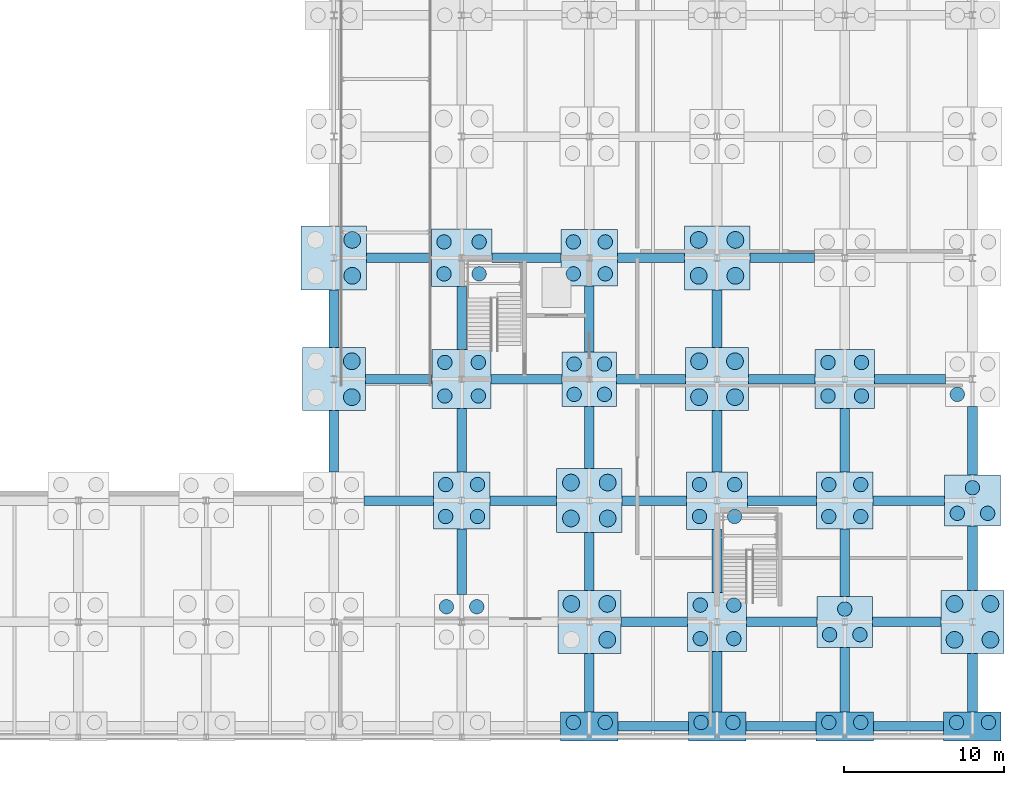
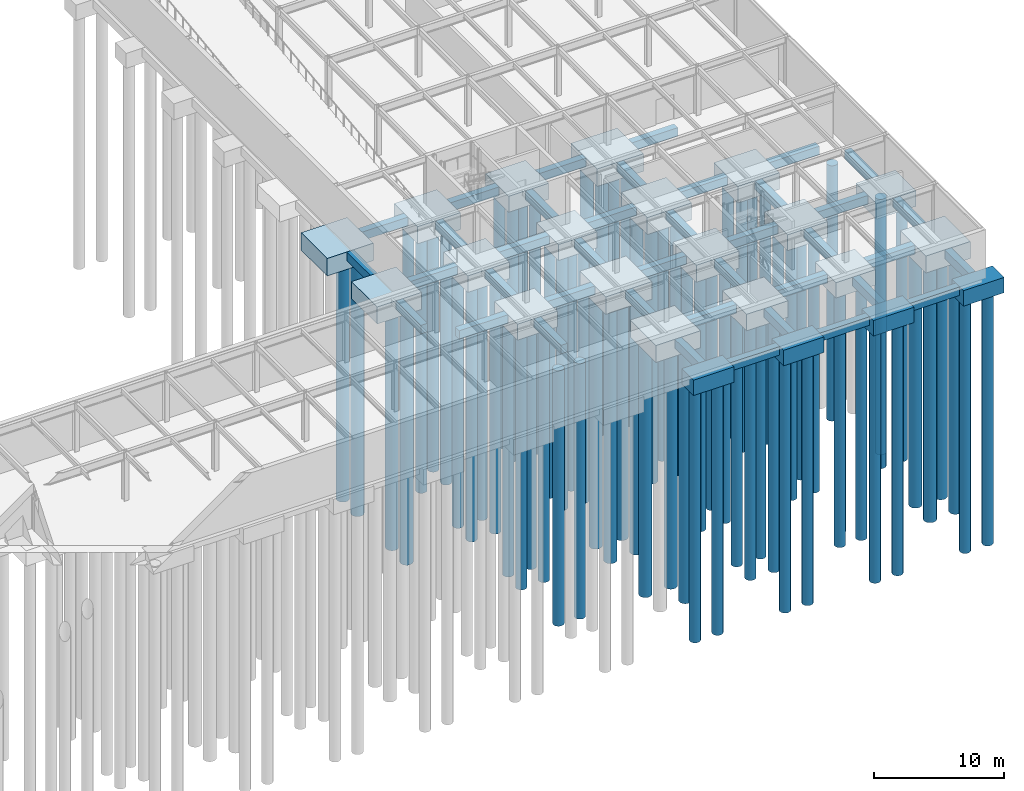
# One storey, part 2 of 21: 76 piles, 61 footings.
"""IFC4 building model written with IfcOpenShell, lengths in metres."""

from ifc_helpers import new_model, si_unit, direction, frame, origin, origin_2d, place, context, subcontext, project, spatial, rectangle, circle, extrude, material, material_profile, profile_set, type_object, element, save


model = new_model("IFC4")

# Units and contexts
model_context = context("Model", 3, precision=1e-05, world=origin(), true_north=direction((0.0, 1.0)))
body_context = subcontext(model_context, "Body", "Model", "MODEL_VIEW")
ifc_project = project(units=[si_unit("LENGTHUNIT", "METRE"), si_unit("AREAUNIT", "SQUARE_METRE"), si_unit("VOLUMEUNIT", "CUBIC_METRE"), si_unit("PLANEANGLEUNIT", "RADIAN"), si_unit("MASSUNIT", "GRAM", prefix="KILO")], contexts=[model_context])

# Site, building, storey
site_placement = place(None, origin())
site = spatial("IfcSite", under=ifc_project, at=site_placement, CompositionType="ELEMENT")
building_placement = place(site_placement, origin())
building = spatial("IfcBuilding", under=site, at=building_placement, Name="Zulena Civic Courthouse", CompositionType="ELEMENT")
storey_placement = place(building_placement, frame((0.0, 0.0, -4.800048828125)))
storey = spatial("IfcBuildingStorey", under=building, at=storey_placement, Name="B01", CompositionType="ELEMENT", Elevation=-4.800048828125)

# Piles
ifc_material_1 = material(Name="Concrete C40/50", Category="concrete")
ifc_material_profile_1 = material_profile(ifc_material_1, circle(Radius=0.52490234375, at=origin_2d()), Name="PILE1050")
ifc_profile_set_1 = profile_set([ifc_material_profile_1], Name="Concrete C40/50")
pile_type_1 = type_object("IfcPileType", Name="BoredPile_1050", PredefinedType="BORED", material=ifc_profile_set_1)
for number, where, z_axis, x_axis, name in (
    (1, (69.125, 67.27490234375, -1.949951171875), (0.0, 0.0, -1.0), (1.0, 0.0, 0.0), "pile:B01:028:2"),
    (2, (69.125, 69.52490234375, -1.949951171875), (0.0, 0.0, -1.0), (1.0, 0.0, 0.0), "pile:B01:028:4"),
    (3, (69.14990234375, 74.875, -2.0), (0.0, 0.0, -1.0), (1.0, 0.0, 0.0), "pile:B01:029:2"),
    (4, (69.14990234375, 77.125, -2.0), (0.0, 0.0, -1.0), (1.0, 0.0, 0.0), "pile:B01:029:4"),
    (5, (85.125, 52.074951171875, -1.949951171875), (0.0, 0.0, -1.0), (1.0, 0.0, 0.0), "pile:B01:046:2"),
    (6, (82.875, 54.324951171875, -1.949951171875), (0.0, 0.0, -1.0), (1.0, 0.0, 0.0), "pile:B01:046:3"),
    (7, (85.125, 54.324951171875, -1.949951171875), (0.0, 0.0, -1.0), (1.0, 0.0, 0.0), "pile:B01:046:4"),
    (8, (82.85009765625, 59.675048828125, -2.0), (0.0, 0.0, -1.0), (1.0, 0.0, 0.0), "pile:B01:047:1"),
    (9, (85.14990234375, 59.675048828125, -2.0), (0.0, 0.0, -1.0), (1.0, 0.0, 0.0), "pile:B01:047:2"),
    (10, (82.85009765625, 61.925048828125, -2.0), (0.0, 0.0, -1.0), (1.0, 0.0, 0.0), "pile:B01:047:3"),
    (11, (85.14990234375, 61.925048828125, -2.0), (0.0, 0.0, -1.0), (1.0, 0.0, 0.0), "pile:B01:047:4"),
    (12, (90.875, 67.27490234375, -1.949951171875), (0.0, 0.0, -1.0), (1.0, 0.0, 0.0), "pile:B01:058:1"),
    (13, (93.125, 67.27490234375, -1.949951171875), (0.0, 0.0, -1.0), (1.0, 0.0, 0.0), "pile:B01:058:2"),
    (14, (90.875, 69.52490234375, -1.949951171875), (0.0, 0.0, -1.0), (1.0, 0.0, 0.0), "pile:B01:058:3"),
    (15, (93.125, 69.52490234375, -1.949951171875), (0.0, 0.0, -1.0), (1.0, 0.0, 0.0), "pile:B01:058:4"),
    (16, (90.85009765625, 74.875, -2.0), (0.0, 0.0, -1.0), (1.0, 0.0, 0.0), "pile:B01:059:1"),
    (17, (93.14990234375, 74.875, -2.0), (0.0, 0.0, -1.0), (1.0, 0.0, 0.0), "pile:B01:059:2"),
    (18, (90.85009765625, 77.125, -2.0), (0.0, 0.0, -1.0), (1.0, 0.0, 0.0), "pile:B01:059:3"),
    (19, (93.14990234375, 77.125, -2.0), (0.0, 0.0, -1.0), (1.0, 0.0, 0.0), "pile:B01:059:4"),
    (20, (106.875, 52.074951171875, -1.949951171875), (0.0, 0.0, -1.0), (1.0, 0.0, 0.0), "pile:B01:076:1"),
    (21, (109.125, 52.074951171875, -1.949951171875), (0.0, 0.0, -1.0), (1.0, 0.0, 0.0), "pile:B01:076:2"),
    (22, (106.875, 54.324951171875, -1.949951171875), (0.0, 0.0, -1.0), (1.0, 0.0, 0.0), "pile:B01:076:3"),
    (23, (109.125, 54.324951171875, -1.949951171875), (0.0, 0.0, -1.0), (1.0, 0.0, 0.0), "pile:B01:076:4"),
):
    element("IfcPile", number, at=place(storey_placement, frame(where, z_axis=z_axis, x_axis=x_axis)), inside=storey, type_object=pile_type_1, Name=name, PredefinedType="BORED", context=body_context, shape_type="SweptSolid", body=[
        extrude(circle(Radius=0.52490234375, at=origin_2d()), origin(), (0.0, 0.0, 1.0), 24.0),
    ])
ifc_material_profile_2 = material_profile(ifc_material_1, circle(Radius=0.449951171875, at=origin_2d()), Name="PILE900")
ifc_profile_set_2 = profile_set([ifc_material_profile_2], Name="Concrete C40/50")
pile_type_2 = type_object("IfcPileType", Name="BoredPile_900", PredefinedType="BORED", material=ifc_profile_set_2)
for number, where, z_axis, x_axis, name in (
    (24, (75.050048828125, 54.14990234375, -1.849853515625), (0.0, 0.0, -1.0), (1.0, 0.0, 0.0), "pile:B01:036:3"),
    (25, (76.949951171875, 54.14990234375, -1.849853515625), (0.0, 0.0, -1.0), (1.0, 0.0, 0.0), "pile:B01:036:4"),
    (26, (75.0, 59.800048828125, -1.849853515625), (0.0, 0.0, -1.0), (1.0, 0.0, 0.0), "pile:B01:037:1"),
    (27, (77.0, 59.800048828125, -1.849853515625), (0.0, 0.0, -1.0), (1.0, 0.0, 0.0), "pile:B01:037:2"),
    (28, (75.0, 61.800048828125, -1.849853515625), (0.0, 0.0, -1.0), (1.0, 0.0, 0.0), "pile:B01:037:3"),
    (29, (77.0, 61.800048828125, -1.849853515625), (0.0, 0.0, -1.0), (1.0, 0.0, 0.0), "pile:B01:037:4"),
    (30, (74.949951171875, 67.35009765625, -1.89990234375), (0.0, 0.0, -1.0), (1.0, 0.0, 0.0), "pile:B01:038:1"),
    (31, (77.050048828125, 67.35009765625, -1.89990234375), (0.0, 0.0, -1.0), (1.0, 0.0, 0.0), "pile:B01:038:2"),
    (32, (74.949951171875, 69.449951171875, -1.89990234375), (0.0, 0.0, -1.0), (1.0, 0.0, 0.0), "pile:B01:038:3"),
    (33, (77.050048828125, 69.449951171875, -1.89990234375), (0.0, 0.0, -1.0), (1.0, 0.0, 0.0), "pile:B01:038:4"),
    (34, (74.89990234375, 75.0, -1.949951171875), (0.0, 0.0, -1.0), (1.0, 0.0, 0.0), "pile:B01:039:1"),
    (35, (77.10009765625, 75.0, -1.949951171875), (0.0, 0.0, -1.0), (1.0, 0.0, 0.0), "pile:B01:039:2"),
    (36, (74.89990234375, 77.0, -1.949951171875), (0.0, 0.0, -1.0), (1.0, 0.0, 0.0), "pile:B01:039:3"),
    (37, (77.10009765625, 77.0, -1.949951171875), (0.0, 0.0, -1.0), (1.0, 0.0, 0.0), "pile:B01:039:4"),
    (38, (83.0, 46.89990234375, -1.800048828125), (0.0, 0.0, -1.0), (1.0, 0.0, 0.0), "pile:B01:045:1"),
    (39, (85.0, 46.89990234375, -1.800048828125), (0.0, 0.0, -1.0), (1.0, 0.0, 0.0), "pile:B01:045:2"),
    (40, (83.050048828125, 67.449951171875, -1.849853515625), (0.0, 0.0, -1.0), (1.0, 0.0, 0.0), "pile:B01:048:1"),
    (41, (84.949951171875, 67.449951171875, -1.849853515625), (0.0, 0.0, -1.0), (1.0, 0.0, 0.0), "pile:B01:048:2"),
    (42, (83.050048828125, 69.35009765625, -1.849853515625), (0.0, 0.0, -1.0), (1.0, 0.0, 0.0), "pile:B01:048:3"),
    (43, (84.949951171875, 69.35009765625, -1.849853515625), (0.0, 0.0, -1.0), (1.0, 0.0, 0.0), "pile:B01:048:4"),
    (44, (83.0, 75.0, -1.849853515625), (0.0, 0.0, -1.0), (1.0, 0.0, 0.0), "pile:B01:049:1"),
    (45, (85.0, 75.0, -1.849853515625), (0.0, 0.0, -1.0), (1.0, 0.0, 0.0), "pile:B01:049:2"),
    (46, (83.0, 77.0, -1.849853515625), (0.0, 0.0, -1.0), (1.0, 0.0, 0.0), "pile:B01:049:3"),
    (47, (85.0, 77.0, -1.849853515625), (0.0, 0.0, -1.0), (1.0, 0.0, 0.0), "pile:B01:049:4"),
    (48, (91.0, 46.89990234375, -1.800048828125), (0.0, 0.0, -1.0), (1.0, 0.0, 0.0), "pile:B01:055:1"),
    (49, (93.0, 46.89990234375, -1.800048828125), (0.0, 0.0, -1.0), (1.0, 0.0, 0.0), "pile:B01:055:2"),
    (50, (90.949951171875, 52.14990234375, -1.89990234375), (0.0, 0.0, -1.0), (1.0, 0.0, 0.0), "pile:B01:056:1"),
    (51, (93.050048828125, 52.14990234375, -1.89990234375), (0.0, 0.0, -1.0), (1.0, 0.0, 0.0), "pile:B01:056:2"),
    (52, (90.949951171875, 54.25, -1.89990234375), (0.0, 0.0, -1.0), (1.0, 0.0, 0.0), "pile:B01:056:3"),
    (53, (93.050048828125, 54.25, -1.89990234375), (0.0, 0.0, -1.0), (1.0, 0.0, 0.0), "pile:B01:056:4"),
    (54, (90.89990234375, 59.800048828125, -1.949951171875), (0.0, 0.0, -1.0), (1.0, 0.0, 0.0), "pile:B01:057:1"),
    (55, (93.10009765625, 59.800048828125, -1.949951171875), (0.0, 0.0, -1.0), (1.0, 0.0, 0.0), "pile:B01:057:2"),
    (56, (90.89990234375, 61.800048828125, -1.949951171875), (0.0, 0.0, -1.0), (1.0, 0.0, 0.0), "pile:B01:057:3"),
    (57, (93.10009765625, 61.800048828125, -1.949951171875), (0.0, 0.0, -1.0), (1.0, 0.0, 0.0), "pile:B01:057:4"),
    (58, (99.0, 46.89990234375, -1.800048828125), (0.0, 0.0, -1.0), (1.0, 0.0, 0.0), "pile:B01:065:1"),
    (59, (101.0, 46.89990234375, -1.800048828125), (0.0, 0.0, -1.0), (1.0, 0.0, 0.0), "pile:B01:065:2"),
    (60, (99.050048828125, 52.39990234375, -1.800048828125), (0.0, 0.0, -1.0), (1.0, 0.0, 0.0), "pile:B01:066:1"),
    (61, (100.949951171875, 52.39990234375, -1.800048828125), (0.0, 0.0, -1.0), (1.0, 0.0, 0.0), "pile:B01:066:2"),
    (62, (100.0, 54.0, -1.800048828125), (0.0, 0.0, -1.0), (1.0, 0.0, 0.0), "pile:B01:066:3"),
    (63, (99.0, 59.800048828125, -1.849853515625), (0.0, 0.0, -1.0), (1.0, 0.0, 0.0), "pile:B01:067:1"),
    (64, (101.0, 59.800048828125, -1.849853515625), (0.0, 0.0, -1.0), (1.0, 0.0, 0.0), "pile:B01:067:2"),
    (65, (99.0, 61.800048828125, -1.849853515625), (0.0, 0.0, -1.0), (1.0, 0.0, 0.0), "pile:B01:067:3"),
    (66, (101.0, 61.800048828125, -1.849853515625), (0.0, 0.0, -1.0), (1.0, 0.0, 0.0), "pile:B01:067:4"),
    (67, (98.949951171875, 67.35009765625, -1.89990234375), (0.0, 0.0, -1.0), (1.0, 0.0, 0.0), "pile:B01:068:1"),
    (68, (101.050048828125, 67.35009765625, -1.89990234375), (0.0, 0.0, -1.0), (1.0, 0.0, 0.0), "pile:B01:068:2"),
    (69, (98.949951171875, 69.449951171875, -1.89990234375), (0.0, 0.0, -1.0), (1.0, 0.0, 0.0), "pile:B01:068:3"),
    (70, (101.050048828125, 69.449951171875, -1.89990234375), (0.0, 0.0, -1.0), (1.0, 0.0, 0.0), "pile:B01:068:4"),
    (71, (107.0, 46.89990234375, -1.800048828125), (0.0, 0.0, -1.0), (1.0, 0.0, 0.0), "pile:B01:075:1"),
    (72, (109.0, 46.89990234375, -1.800048828125), (0.0, 0.0, -1.0), (1.0, 0.0, 0.0), "pile:B01:075:2"),
    (73, (107.050048828125, 60.0, -1.800048828125), (0.0, 0.0, -1.0), (1.0, 0.0, 0.0), "pile:B01:077:1"),
    (74, (108.949951171875, 60.0, -1.800048828125), (0.0, 0.0, -1.0), (1.0, 0.0, 0.0), "pile:B01:077:2"),
    (75, (108.0, 61.60009765625, -1.800048828125), (0.0, 0.0, -1.0), (1.0, 0.0, 0.0), "pile:B01:077:3"),
    (76, (107.050048828125, 67.449951171875, -1.849853515625), (0.0, 0.0, -1.0), (1.0, 0.0, 0.0), "pile:B01:078:1"),
):
    element("IfcPile", number, at=place(storey_placement, frame(where, z_axis=z_axis, x_axis=x_axis)), inside=storey, type_object=pile_type_2, Name=name, PredefinedType="BORED", context=body_context, shape_type="SweptSolid", body=[
        extrude(circle(Radius=0.449951171875, at=origin_2d()), origin(), (0.0, 0.0, 1.0), 24.0),
    ])

# Footings
ifc_material_2 = material(Name="Concrete C35/45", Category="concrete")
ifc_material_profile_3 = material_profile(ifc_material_2, rectangle(XDim=0.60009765625, YDim=0.800048828125, at=origin_2d()), Name="RC600X800")
ifc_profile_set_3 = profile_set([ifc_material_profile_3], Name="Concrete C35/45")
footing_type_1 = type_object("IfcFootingType", Name="GroundBeam_600x800", PredefinedType="FOOTING_BEAM", material=ifc_profile_set_3)
for number, where, z_axis, x_axis, name in (
    (77, (85.800048828125, 46.64990234375, -0.849853515625), (1.0, 0.0, 0.0), (0.0, 1.0, 0.0), "gbeam:X:B01:011"),
    (78, (93.800048828125, 46.64990234375, -0.849853515625), (1.0, 0.0, 0.0), (0.0, 1.0, 0.0), "gbeam:X:B01:012"),
    (79, (101.800048828125, 46.64990234375, -0.849853515625), (1.0, 0.0, 0.0), (0.0, 1.0, 0.0), "gbeam:X:B01:013"),
):
    element("IfcFooting", number, at=place(storey_placement, frame(where, z_axis=z_axis, x_axis=x_axis)), inside=storey, type_object=footing_type_1, Name=name, PredefinedType="FOOTING_BEAM", context=body_context, shape_type="SweptSolid", body=[
        extrude(rectangle(XDim=0.60009765625, YDim=0.800048828125, at=origin_2d()), origin(), (0.0, 0.0, 1.0), 4.39990234375),
    ])
footing_1_placement = place(storey_placement, frame((85.97509765625, 53.199951171875, -0.849853515625), z_axis=(1.0, 0.0, 0.0), x_axis=(0.0, 1.0, 0.0)))
element("IfcFooting", 80, at=footing_1_placement, inside=storey, type_object=footing_type_1, Name="gbeam:X:B01:024", PredefinedType="FOOTING_BEAM", context=body_context, shape_type="SweptSolid", body=[
    extrude(rectangle(XDim=0.60009765625, YDim=0.800048828125, at=origin_2d()), origin(), (0.0, 0.0, 1.0), 4.1748046875),
])
footing_2_placement = place(storey_placement, frame((93.85009765625, 53.199951171875, -0.849853515625), z_axis=(1.0, 0.0, 0.0), x_axis=(0.0, 1.0, 0.0)))
element("IfcFooting", 81, at=footing_2_placement, inside=storey, type_object=footing_type_1, Name="gbeam:X:B01:025", PredefinedType="FOOTING_BEAM", context=body_context, shape_type="SweptSolid", body=[
    extrude(rectangle(XDim=0.60009765625, YDim=0.800048828125, at=origin_2d()), origin(), (0.0, 0.0, 1.0), 4.39990234375),
])
footing_3_placement = place(storey_placement, frame((101.75, 53.199951171875, -0.849853515625), z_axis=(1.0, 0.0, 0.0), x_axis=(0.0, 1.0, 0.0)))
element("IfcFooting", 82, at=footing_3_placement, inside=storey, type_object=footing_type_1, Name="gbeam:X:B01:026", PredefinedType="FOOTING_BEAM", context=body_context, shape_type="SweptSolid", body=[
    extrude(rectangle(XDim=0.60009765625, YDim=0.800048828125, at=origin_2d()), origin(), (0.0, 0.0, 1.0), 4.27490234375),
])
footing_4_placement = place(storey_placement, frame((69.89990234375, 60.800048828125, -0.849853515625), z_axis=(1.0, 0.0, 0.0), x_axis=(0.0, 1.0, 0.0)))
element("IfcFooting", 83, at=footing_4_placement, inside=storey, type_object=footing_type_1, Name="gbeam:X:B01:035", PredefinedType="FOOTING_BEAM", context=body_context, shape_type="SweptSolid", body=[
    extrude(rectangle(XDim=0.60009765625, YDim=0.800048828125, at=origin_2d()), origin(), (0.0, 0.0, 1.0), 4.3251953125),
])
footing_5_placement = place(storey_placement, frame((77.77490234375, 60.800048828125, -0.849853515625), z_axis=(1.0, 0.0, 0.0), x_axis=(0.0, 1.0, 0.0)))
element("IfcFooting", 84, at=footing_5_placement, inside=storey, type_object=footing_type_1, Name="gbeam:X:B01:036", PredefinedType="FOOTING_BEAM", context=body_context, shape_type="SweptSolid", body=[
    extrude(rectangle(XDim=0.60009765625, YDim=0.800048828125, at=origin_2d()), origin(), (0.0, 0.0, 1.0), 4.175048828125),
])
footing_6_placement = place(storey_placement, frame((86.050048828125, 60.800048828125, -0.849853515625), z_axis=(1.0, 0.0, 0.0), x_axis=(0.0, 1.0, 0.0)))
element("IfcFooting", 85, at=footing_6_placement, inside=storey, type_object=footing_type_1, Name="gbeam:X:B01:037", PredefinedType="FOOTING_BEAM", context=body_context, shape_type="SweptSolid", body=[
    extrude(rectangle(XDim=0.60009765625, YDim=0.800048828125, at=origin_2d()), origin(), (0.0, 0.0, 1.0), 4.050048828125),
])
footing_7_placement = place(storey_placement, frame((93.89990234375, 60.800048828125, -0.849853515625), z_axis=(1.0, 0.0, 0.0), x_axis=(0.0, 1.0, 0.0)))
element("IfcFooting", 86, at=footing_7_placement, inside=storey, type_object=footing_type_1, Name="gbeam:X:B01:038", PredefinedType="FOOTING_BEAM", context=body_context, shape_type="SweptSolid", body=[
    extrude(rectangle(XDim=0.60009765625, YDim=0.800048828125, at=origin_2d()), origin(), (0.0, 0.0, 1.0), 4.3251953125),
])
footing_8_placement = place(storey_placement, frame((101.77490234375, 60.800048828125, -0.849853515625), z_axis=(1.0, 0.0, 0.0), x_axis=(0.0, 1.0, 0.0)))
element("IfcFooting", 87, at=footing_8_placement, inside=storey, type_object=footing_type_1, Name="gbeam:X:B01:039", PredefinedType="FOOTING_BEAM", context=body_context, shape_type="SweptSolid", body=[
    extrude(rectangle(XDim=0.60009765625, YDim=0.800048828125, at=origin_2d()), origin(), (0.0, 0.0, 1.0), 4.47509765625),
])
footing_9_placement = place(storey_placement, frame((69.97509765625, 68.39990234375, -0.849853515625), z_axis=(1.0, 0.0, 0.0), x_axis=(0.0, 1.0, 0.0)))
element("IfcFooting", 88, at=footing_9_placement, inside=storey, type_object=footing_type_1, Name="gbeam:X:B01:040", PredefinedType="FOOTING_BEAM", context=body_context, shape_type="SweptSolid", body=[
    extrude(rectangle(XDim=0.60009765625, YDim=0.800048828125, at=origin_2d()), origin(), (0.0, 0.0, 1.0), 4.1748046875),
])
footing_10_placement = place(storey_placement, frame((77.85009765625, 68.39990234375, -0.849853515625), z_axis=(1.0, 0.0, 0.0), x_axis=(0.0, 1.0, 0.0)))
element("IfcFooting", 89, at=footing_10_placement, inside=storey, type_object=footing_type_1, Name="gbeam:X:B01:041", PredefinedType="FOOTING_BEAM", context=body_context, shape_type="SweptSolid", body=[
    extrude(rectangle(XDim=0.60009765625, YDim=0.800048828125, at=origin_2d()), origin(), (0.0, 0.0, 1.0), 4.449951171875),
])
footing_11_placement = place(storey_placement, frame((85.699951171875, 68.39990234375, -0.849853515625), z_axis=(1.0, 0.0, 0.0), x_axis=(0.0, 1.0, 0.0)))
element("IfcFooting", 90, at=footing_11_placement, inside=storey, type_object=footing_type_1, Name="gbeam:X:B01:042", PredefinedType="FOOTING_BEAM", context=body_context, shape_type="SweptSolid", body=[
    extrude(rectangle(XDim=0.60009765625, YDim=0.800048828125, at=origin_2d()), origin(), (0.0, 0.0, 1.0), 4.324951171875),
])
footing_12_placement = place(storey_placement, frame((93.97509765625, 68.39990234375, -0.849853515625), z_axis=(1.0, 0.0, 0.0), x_axis=(0.0, 1.0, 0.0)))
element("IfcFooting", 91, at=footing_12_placement, inside=storey, type_object=footing_type_1, Name="gbeam:X:B01:043", PredefinedType="FOOTING_BEAM", context=body_context, shape_type="SweptSolid", body=[
    extrude(rectangle(XDim=0.60009765625, YDim=0.800048828125, at=origin_2d()), origin(), (0.0, 0.0, 1.0), 4.1748046875),
])
footing_13_placement = place(storey_placement, frame((101.85009765625, 68.39990234375, -0.849853515625), z_axis=(1.0, 0.0, 0.0), x_axis=(0.0, 1.0, 0.0)))
element("IfcFooting", 92, at=footing_13_placement, inside=storey, type_object=footing_type_1, Name="gbeam:X:B01:044", PredefinedType="FOOTING_BEAM", context=body_context, shape_type="SweptSolid", body=[
    extrude(rectangle(XDim=0.60009765625, YDim=0.800048828125, at=origin_2d()), origin(), (0.0, 0.0, 1.0), 4.449951171875),
])
footing_14_placement = place(storey_placement, frame((70.050048828125, 76.0, -0.849853515625), z_axis=(1.0, 0.0, 0.0), x_axis=(0.0, 1.0, 0.0)))
element("IfcFooting", 93, at=footing_14_placement, inside=storey, type_object=footing_type_1, Name="gbeam:X:B01:045", PredefinedType="FOOTING_BEAM", context=body_context, shape_type="SweptSolid", body=[
    extrude(rectangle(XDim=0.60009765625, YDim=0.800048828125, at=origin_2d()), origin(), (0.0, 0.0, 1.0), 4.050048828125),
])
footing_15_placement = place(storey_placement, frame((77.89990234375, 76.0, -0.849853515625), z_axis=(1.0, 0.0, 0.0), x_axis=(0.0, 1.0, 0.0)))
element("IfcFooting", 94, at=footing_15_placement, inside=storey, type_object=footing_type_1, Name="gbeam:X:B01:046", PredefinedType="FOOTING_BEAM", context=body_context, shape_type="SweptSolid", body=[
    extrude(rectangle(XDim=0.60009765625, YDim=0.800048828125, at=origin_2d()), origin(), (0.0, 0.0, 1.0), 4.3251953125),
])
footing_16_placement = place(storey_placement, frame((85.77490234375, 76.0, -0.849853515625), z_axis=(1.0, 0.0, 0.0), x_axis=(0.0, 1.0, 0.0)))
element("IfcFooting", 95, at=footing_16_placement, inside=storey, type_object=footing_type_1, Name="gbeam:X:B01:047", PredefinedType="FOOTING_BEAM", context=body_context, shape_type="SweptSolid", body=[
    extrude(rectangle(XDim=0.60009765625, YDim=0.800048828125, at=origin_2d()), origin(), (0.0, 0.0, 1.0), 4.175048828125),
])
footing_17_placement = place(storey_placement, frame((94.050048828125, 76.0, -0.849853515625), z_axis=(1.0, 0.0, 0.0), x_axis=(0.0, 1.0, 0.0)))
element("IfcFooting", 96, at=footing_17_placement, inside=storey, type_object=footing_type_1, Name="gbeam:X:B01:048", PredefinedType="FOOTING_BEAM", context=body_context, shape_type="SweptSolid", body=[
    extrude(rectangle(XDim=0.60009765625, YDim=0.800048828125, at=origin_2d()), origin(), (0.0, 0.0, 1.0), 4.050048828125),
])
footing_18_placement = place(storey_placement, frame((68.0, 62.60009765625, -0.849853515625), z_axis=(0.0, 1.0, 0.0), x_axis=(-1.0, 0.0, 0.0)))
element("IfcFooting", 97, at=footing_18_placement, inside=storey, type_object=footing_type_1, Name="gbeam:Y:B01:093", PredefinedType="FOOTING_BEAM", context=body_context, shape_type="SweptSolid", body=[
    extrude(rectangle(XDim=0.60009765625, YDim=0.800048828125, at=origin_2d()), origin(), (0.0, 0.0, 1.0), 3.824951171875),
])
footing_19_placement = place(storey_placement, frame((68.0, 70.375, -0.849853515625), z_axis=(0.0, 1.0, 0.0), x_axis=(-1.0, 0.0, 0.0)))
element("IfcFooting", 98, at=footing_19_placement, inside=storey, type_object=footing_type_1, Name="gbeam:Y:B01:094", PredefinedType="FOOTING_BEAM", context=body_context, shape_type="SweptSolid", body=[
    extrude(rectangle(XDim=0.60009765625, YDim=0.800048828125, at=origin_2d()), origin(), (0.0, 0.0, 1.0), 3.625),
])
footing_20_placement = place(storey_placement, frame((76.0, 54.89990234375, -0.849853515625), z_axis=(0.0, 1.0, 0.0), x_axis=(-1.0, 0.0, 0.0)))
element("IfcFooting", 99, at=footing_20_placement, inside=storey, type_object=footing_type_1, Name="gbeam:Y:B01:101", PredefinedType="FOOTING_BEAM", context=body_context, shape_type="SweptSolid", body=[
    extrude(rectangle(XDim=0.60009765625, YDim=0.800048828125, at=origin_2d()), origin(), (0.0, 0.0, 1.0), 4.125),
])
footing_21_placement = place(storey_placement, frame((76.0, 62.574951171875, -0.849853515625), z_axis=(0.0, 1.0, 0.0), x_axis=(-1.0, 0.0, 0.0)))
element("IfcFooting", 100, at=footing_21_placement, inside=storey, type_object=footing_type_1, Name="gbeam:Y:B01:102", PredefinedType="FOOTING_BEAM", context=body_context, shape_type="SweptSolid", body=[
    extrude(rectangle(XDim=0.60009765625, YDim=0.800048828125, at=origin_2d()), origin(), (0.0, 0.0, 1.0), 3.97509765625),
])
footing_22_placement = place(storey_placement, frame((76.0, 70.25, -0.849853515625), z_axis=(0.0, 1.0, 0.0), x_axis=(-1.0, 0.0, 0.0)))
element("IfcFooting", 101, at=footing_22_placement, inside=storey, type_object=footing_type_1, Name="gbeam:Y:B01:103", PredefinedType="FOOTING_BEAM", context=body_context, shape_type="SweptSolid", body=[
    extrude(rectangle(XDim=0.60009765625, YDim=0.800048828125, at=origin_2d()), origin(), (0.0, 0.0, 1.0), 3.949951171875),
])
footing_23_placement = place(storey_placement, frame((84.0, 47.550048828125, -0.849853515625), z_axis=(0.0, 1.0, 0.0), x_axis=(-1.0, 0.0, 0.0)))
element("IfcFooting", 102, at=footing_23_placement, inside=storey, type_object=footing_type_1, Name="gbeam:Y:B01:109", PredefinedType="FOOTING_BEAM", context=body_context, shape_type="SweptSolid", body=[
    extrude(rectangle(XDim=0.60009765625, YDim=0.800048828125, at=origin_2d()), origin(), (0.0, 0.0, 1.0), 3.675048828125),
])
footing_24_placement = place(storey_placement, frame((84.0, 55.175048828125, -0.849853515625), z_axis=(0.0, 1.0, 0.0), x_axis=(-1.0, 0.0, 0.0)))
element("IfcFooting", 103, at=footing_24_placement, inside=storey, type_object=footing_type_1, Name="gbeam:Y:B01:110", PredefinedType="FOOTING_BEAM", context=body_context, shape_type="SweptSolid", body=[
    extrude(rectangle(XDim=0.60009765625, YDim=0.800048828125, at=origin_2d()), origin(), (0.0, 0.0, 1.0), 3.625),
])
footing_25_placement = place(storey_placement, frame((84.0, 62.800048828125, -0.849853515625), z_axis=(0.0, 1.0, 0.0), x_axis=(-1.0, 0.0, 0.0)))
element("IfcFooting", 104, at=footing_25_placement, inside=storey, type_object=footing_type_1, Name="gbeam:Y:B01:111", PredefinedType="FOOTING_BEAM", context=body_context, shape_type="SweptSolid", body=[
    extrude(rectangle(XDim=0.60009765625, YDim=0.800048828125, at=origin_2d()), origin(), (0.0, 0.0, 1.0), 3.89990234375),
])
footing_26_placement = place(storey_placement, frame((84.0, 70.10009765625, -0.849853515625), z_axis=(0.0, 1.0, 0.0), x_axis=(-1.0, 0.0, 0.0)))
element("IfcFooting", 105, at=footing_26_placement, inside=storey, type_object=footing_type_1, Name="gbeam:Y:B01:112", PredefinedType="FOOTING_BEAM", context=body_context, shape_type="SweptSolid", body=[
    extrude(rectangle(XDim=0.60009765625, YDim=0.800048828125, at=origin_2d()), origin(), (0.0, 0.0, 1.0), 4.125),
])
footing_27_placement = place(storey_placement, frame((92.0, 47.550048828125, -0.849853515625), z_axis=(0.0, 1.0, 0.0), x_axis=(-1.0, 0.0, 0.0)))
element("IfcFooting", 106, at=footing_27_placement, inside=storey, type_object=footing_type_1, Name="gbeam:Y:B01:118", PredefinedType="FOOTING_BEAM", context=body_context, shape_type="SweptSolid", body=[
    extrude(rectangle(XDim=0.60009765625, YDim=0.800048828125, at=origin_2d()), origin(), (0.0, 0.0, 1.0), 3.800048828125),
])
footing_28_placement = place(storey_placement, frame((92.0, 55.050048828125, -0.849853515625), z_axis=(0.0, 1.0, 0.0), x_axis=(-1.0, 0.0, 0.0)))
element("IfcFooting", 107, at=footing_28_placement, inside=storey, type_object=footing_type_1, Name="gbeam:Y:B01:119", PredefinedType="FOOTING_BEAM", context=body_context, shape_type="SweptSolid", body=[
    extrude(rectangle(XDim=0.60009765625, YDim=0.800048828125, at=origin_2d()), origin(), (0.0, 0.0, 1.0), 3.949951171875),
])
footing_29_placement = place(storey_placement, frame((92.0, 62.60009765625, -0.849853515625), z_axis=(0.0, 1.0, 0.0), x_axis=(-1.0, 0.0, 0.0)))
element("IfcFooting", 108, at=footing_29_placement, inside=storey, type_object=footing_type_1, Name="gbeam:Y:B01:120", PredefinedType="FOOTING_BEAM", context=body_context, shape_type="SweptSolid", body=[
    extrude(rectangle(XDim=0.60009765625, YDim=0.800048828125, at=origin_2d()), origin(), (0.0, 0.0, 1.0), 3.824951171875),
])
footing_30_placement = place(storey_placement, frame((92.0, 70.375, -0.849853515625), z_axis=(0.0, 1.0, 0.0), x_axis=(-1.0, 0.0, 0.0)))
element("IfcFooting", 109, at=footing_30_placement, inside=storey, type_object=footing_type_1, Name="gbeam:Y:B01:121", PredefinedType="FOOTING_BEAM", context=body_context, shape_type="SweptSolid", body=[
    extrude(rectangle(XDim=0.60009765625, YDim=0.800048828125, at=origin_2d()), origin(), (0.0, 0.0, 1.0), 3.625),
])
footing_31_placement = place(storey_placement, frame((100.0, 47.550048828125, -0.849853515625), z_axis=(0.0, 1.0, 0.0), x_axis=(-1.0, 0.0, 0.0)))
element("IfcFooting", 110, at=footing_31_placement, inside=storey, type_object=footing_type_1, Name="gbeam:Y:B01:127", PredefinedType="FOOTING_BEAM", context=body_context, shape_type="SweptSolid", body=[
    extrude(rectangle(XDim=0.60009765625, YDim=0.800048828125, at=origin_2d()), origin(), (0.0, 0.0, 1.0), 4.050048828125),
])
footing_32_placement = place(storey_placement, frame((100.0, 54.800048828125, -0.849853515625), z_axis=(0.0, 1.0, 0.0), x_axis=(-1.0, 0.0, 0.0)))
element("IfcFooting", 111, at=footing_32_placement, inside=storey, type_object=footing_type_1, Name="gbeam:Y:B01:128", PredefinedType="FOOTING_BEAM", context=body_context, shape_type="SweptSolid", body=[
    extrude(rectangle(XDim=0.60009765625, YDim=0.800048828125, at=origin_2d()), origin(), (0.0, 0.0, 1.0), 4.224853515625),
])
footing_33_placement = place(storey_placement, frame((100.0, 62.574951171875, -0.849853515625), z_axis=(0.0, 1.0, 0.0), x_axis=(-1.0, 0.0, 0.0)))
element("IfcFooting", 112, at=footing_33_placement, inside=storey, type_object=footing_type_1, Name="gbeam:Y:B01:129", PredefinedType="FOOTING_BEAM", context=body_context, shape_type="SweptSolid", body=[
    extrude(rectangle(XDim=0.60009765625, YDim=0.800048828125, at=origin_2d()), origin(), (0.0, 0.0, 1.0), 3.97509765625),
])
footing_34_placement = place(storey_placement, frame((108.0, 47.550048828125, -0.849853515625), z_axis=(0.0, 1.0, 0.0), x_axis=(-1.0, 0.0, 0.0)))
element("IfcFooting", 113, at=footing_34_placement, inside=storey, type_object=footing_type_1, Name="gbeam:Y:B01:136", PredefinedType="FOOTING_BEAM", context=body_context, shape_type="SweptSolid", body=[
    extrude(rectangle(XDim=0.60009765625, YDim=0.800048828125, at=origin_2d()), origin(), (0.0, 0.0, 1.0), 3.675048828125),
])
footing_35_placement = place(storey_placement, frame((108.0, 55.175048828125, -0.849853515625), z_axis=(0.0, 1.0, 0.0), x_axis=(-1.0, 0.0, 0.0)))
element("IfcFooting", 114, at=footing_35_placement, inside=storey, type_object=footing_type_1, Name="gbeam:Y:B01:137", PredefinedType="FOOTING_BEAM", context=body_context, shape_type="SweptSolid", body=[
    extrude(rectangle(XDim=0.60009765625, YDim=0.800048828125, at=origin_2d()), origin(), (0.0, 0.0, 1.0), 4.02490234375),
])
footing_36_placement = place(storey_placement, frame((108.0, 62.39990234375, -0.849853515625), z_axis=(0.0, 1.0, 0.0), x_axis=(-1.0, 0.0, 0.0)))
element("IfcFooting", 115, at=footing_36_placement, inside=storey, type_object=footing_type_1, Name="gbeam:Y:B01:138", PredefinedType="FOOTING_BEAM", context=body_context, shape_type="SweptSolid", body=[
    extrude(rectangle(XDim=0.60009765625, YDim=0.800048828125, at=origin_2d()), origin(), (0.0, 0.0, 1.0), 4.300048828125),
])
footing_type_2 = type_object("IfcFootingType", Name="PileCap_2P_3600x1800", PredefinedType="PILE_CAP", material=ifc_material_1)
for number, where, z_axis, x_axis, name in (
    (116, (84.0, 46.64990234375, -1.89990234375), (0.0, 0.0, 1.0), (1.0, 0.0, 0.0), "cap:B01:045"),
    (117, (92.0, 46.64990234375, -1.89990234375), (0.0, 0.0, 1.0), (1.0, 0.0, 0.0), "cap:B01:055"),
    (118, (100.0, 46.64990234375, -1.89990234375), (0.0, 0.0, 1.0), (1.0, 0.0, 0.0), "cap:B01:065"),
    (119, (108.0, 46.64990234375, -1.89990234375), (0.0, 0.0, 1.0), (1.0, 0.0, 0.0), "cap:B01:075"),
):
    element("IfcFooting", number, at=place(storey_placement, frame(where, z_axis=z_axis, x_axis=x_axis)), inside=storey, type_object=footing_type_2, Name=name, PredefinedType="PILE_CAP", context=body_context, shape_type="SweptSolid", body=[
        extrude(rectangle(XDim=3.60009765625, YDim=1.800048828125, at=origin_2d()), origin(), (0.0, 0.0, 1.0), 1.449951171875),
    ])
footing_type_3 = type_object("IfcFootingType", Name="PileCap_3P_3500x3200", PredefinedType="PILE_CAP", material=ifc_material_1)
for number, where, z_axis, x_axis, name in (
    (120, (100.0, 53.199951171875, -1.89990234375), (0.0, 0.0, 1.0), (1.0, 0.0, 0.0), "cap:B01:066"),
    (121, (108.0, 60.800048828125, -1.89990234375), (0.0, 0.0, 1.0), (1.0, 0.0, 0.0), "cap:B01:077"),
):
    element("IfcFooting", number, at=place(storey_placement, frame(where, z_axis=z_axis, x_axis=x_axis)), inside=storey, type_object=footing_type_3, Name=name, PredefinedType="PILE_CAP", context=body_context, shape_type="SweptSolid", body=[
        extrude(rectangle(XDim=3.5, YDim=3.199951171875, at=origin_2d()), origin(), (0.0, 0.0, 1.0), 1.449951171875),
    ])
footing_type_4 = type_object("IfcFootingType", Name="PileCap_4P_3400x3400", PredefinedType="PILE_CAP", material=ifc_material_1)
footing_37_placement = place(storey_placement, frame((84.0, 68.39990234375, -1.949951171875), z_axis=(0.0, 0.0, 1.0), x_axis=(1.0, 0.0, 0.0)))
element("IfcFooting", 122, at=footing_37_placement, inside=storey, type_object=footing_type_4, Name="cap:B01:048", PredefinedType="PILE_CAP", context=body_context, shape_type="SweptSolid", body=[
    extrude(rectangle(XDim=3.39990234375, YDim=3.39990234375, at=origin_2d()), origin(), (0.0, 0.0, 1.0), 1.5),
])
footing_type_5 = type_object("IfcFootingType", Name="PileCap_4P_3550x3550", PredefinedType="PILE_CAP", material=ifc_material_1)
for number, where, z_axis, x_axis, name in (
    (123, (76.0, 60.800048828125, -1.949951171875), (0.0, 0.0, 1.0), (1.0, 0.0, 0.0), "cap:B01:037"),
    (124, (84.0, 76.0, -1.949951171875), (0.0, 0.0, 1.0), (1.0, 0.0, 0.0), "cap:B01:049"),
    (125, (100.0, 60.800048828125, -1.949951171875), (0.0, 0.0, 1.0), (1.0, 0.0, 0.0), "cap:B01:067"),
):
    element("IfcFooting", number, at=place(storey_placement, frame(where, z_axis=z_axis, x_axis=x_axis)), inside=storey, type_object=footing_type_5, Name=name, PredefinedType="PILE_CAP", context=body_context, shape_type="SweptSolid", body=[
        extrude(rectangle(XDim=3.550048828125, YDim=3.550048828125, at=origin_2d()), origin(), (0.0, 0.0, 1.0), 1.5),
    ])
footing_type_6 = type_object("IfcFootingType", Name="PileCap_4P_3700x3700", PredefinedType="PILE_CAP", material=ifc_material_1)
for number, where, z_axis, x_axis, name in (
    (126, (76.0, 68.39990234375, -2.0), (0.0, 0.0, 1.0), (1.0, 0.0, 0.0), "cap:B01:038"),
    (127, (92.0, 53.199951171875, -2.0), (0.0, 0.0, 1.0), (1.0, 0.0, 0.0), "cap:B01:056"),
    (128, (100.0, 68.39990234375, -2.0), (0.0, 0.0, 1.0), (1.0, 0.0, 0.0), "cap:B01:068"),
):
    element("IfcFooting", number, at=place(storey_placement, frame(where, z_axis=z_axis, x_axis=x_axis)), inside=storey, type_object=footing_type_6, Name=name, PredefinedType="PILE_CAP", context=body_context, shape_type="SweptSolid", body=[
        extrude(rectangle(XDim=3.699951171875, YDim=3.699951171875, at=origin_2d()), origin(), (0.0, 0.0, 1.0), 1.550048828125),
    ])
footing_type_7 = type_object("IfcFootingType", Name="PileCap_4P_3800x3600", PredefinedType="PILE_CAP", material=ifc_material_1)
for number, where, z_axis, x_axis, name in (
    (129, (76.0, 76.0, -2.050048828125), (0.0, 0.0, 1.0), (1.0, 0.0, 0.0), "cap:B01:039"),
    (130, (92.0, 60.800048828125, -2.050048828125), (0.0, 0.0, 1.0), (1.0, 0.0, 0.0), "cap:B01:057"),
):
    element("IfcFooting", number, at=place(storey_placement, frame(where, z_axis=z_axis, x_axis=x_axis)), inside=storey, type_object=footing_type_7, Name=name, PredefinedType="PILE_CAP", context=body_context, shape_type="SweptSolid", body=[
        extrude(rectangle(XDim=3.800048828125, YDim=3.60009765625, at=origin_2d()), origin(), (0.0, 0.0, 1.0), 1.60009765625),
    ])
footing_type_8 = type_object("IfcFootingType", Name="PileCap_4P_3950x3950", PredefinedType="PILE_CAP", material=ifc_material_1)
for number, where, z_axis, x_axis, name in (
    (131, (68.0, 68.39990234375, -2.050048828125), (0.0, 0.0, 1.0), (1.0, 0.0, 0.0), "cap:B01:028"),
    (132, (84.0, 53.199951171875, -2.050048828125), (0.0, 0.0, 1.0), (1.0, 0.0, 0.0), "cap:B01:046"),
    (133, (92.0, 68.39990234375, -2.050048828125), (0.0, 0.0, 1.0), (1.0, 0.0, 0.0), "cap:B01:058"),
    (134, (108.0, 53.199951171875, -2.050048828125), (0.0, 0.0, 1.0), (1.0, 0.0, 0.0), "cap:B01:076"),
):
    element("IfcFooting", number, at=place(storey_placement, frame(where, z_axis=z_axis, x_axis=x_axis)), inside=storey, type_object=footing_type_8, Name=name, PredefinedType="PILE_CAP", context=body_context, shape_type="SweptSolid", body=[
        extrude(rectangle(XDim=3.949951171875, YDim=3.949951171875, at=origin_2d()), origin(), (0.0, 0.0, 1.0), 1.60009765625),
    ])
footing_type_9 = type_object("IfcFootingType", Name="PileCap_4P_4100x4000", PredefinedType="PILE_CAP", material=ifc_material_1)
for number, where, z_axis, x_axis, name in (
    (135, (68.0, 76.0, -2.099853515625), (0.0, 0.0, 1.0), (1.0, 0.0, 0.0), "cap:B01:029"),
    (136, (84.0, 60.800048828125, -2.099853515625), (0.0, 0.0, 1.0), (1.0, 0.0, 0.0), "cap:B01:047"),
    (137, (92.0, 76.0, -2.099853515625), (0.0, 0.0, 1.0), (1.0, 0.0, 0.0), "cap:B01:059"),
):
    element("IfcFooting", number, at=place(storey_placement, frame(where, z_axis=z_axis, x_axis=x_axis)), inside=storey, type_object=footing_type_9, Name=name, PredefinedType="PILE_CAP", context=body_context, shape_type="SweptSolid", body=[
        extrude(rectangle(XDim=4.10009765625, YDim=4.0, at=origin_2d()), origin(), (0.0, 0.0, 1.0), 1.64990234375),
    ])

save(model, "model.ifc")
